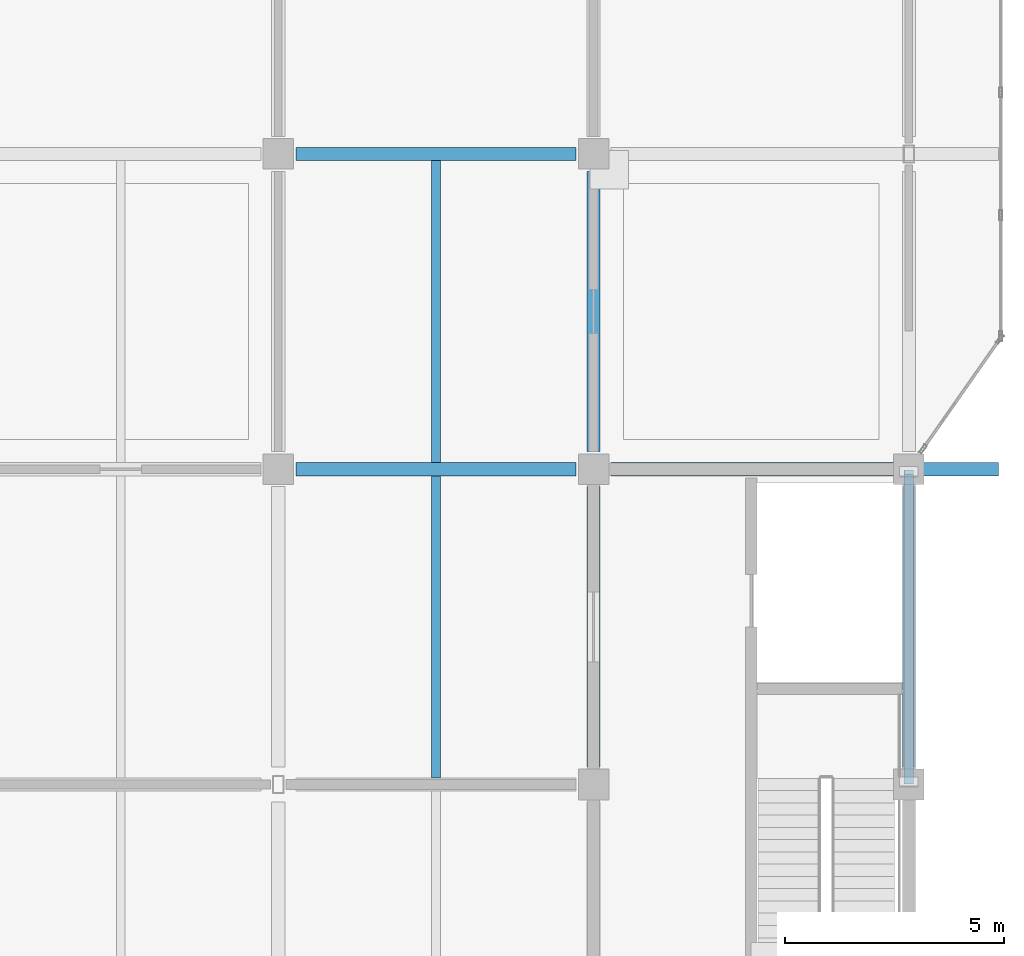
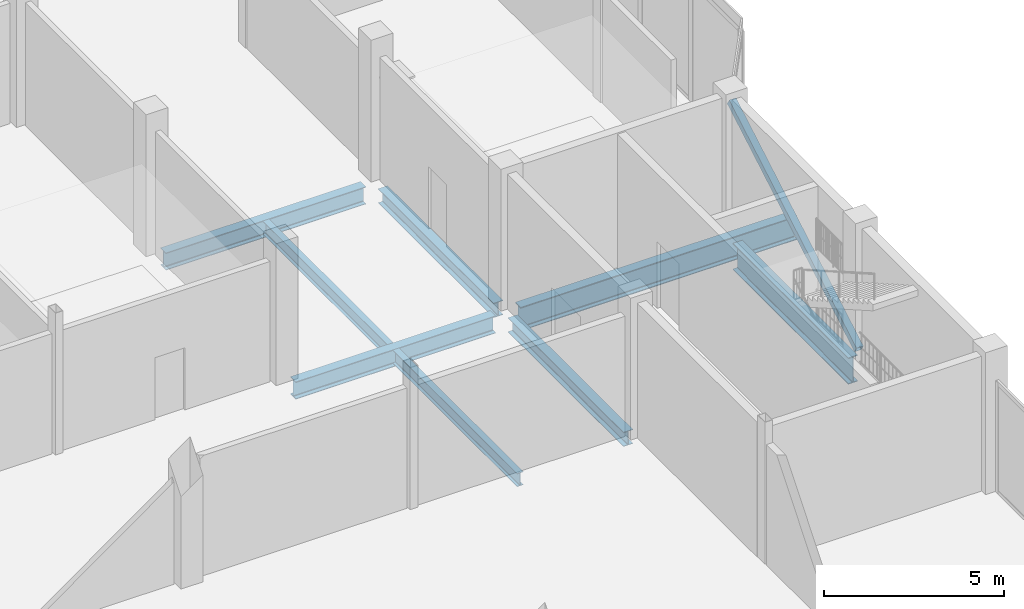
# One storey, part 69 of 120: 8 beams, 1 member.
"""IFC4 building model written with IfcOpenShell, lengths in metres."""

from ifc_helpers import new_model, si_unit, direction, frame, origin, origin_2d, place, context, subcontext, project, spatial, hollow_rectangle, i_section, extrude, material, material_profile, profile_set, type_object, element, save


model = new_model("IFC4")

# Units and contexts
model_context = context("Model", 3, precision=1e-05, world=origin(), true_north=direction((0.0, 1.0)))
body_context = subcontext(model_context, "Body", "Model", "MODEL_VIEW")
ifc_project = project(units=[si_unit("LENGTHUNIT", "METRE"), si_unit("AREAUNIT", "SQUARE_METRE"), si_unit("VOLUMEUNIT", "CUBIC_METRE"), si_unit("PLANEANGLEUNIT", "RADIAN"), si_unit("MASSUNIT", "GRAM", prefix="KILO")], contexts=[model_context])

# Site, building, storey
site_placement = place(None, origin())
site = spatial("IfcSite", under=ifc_project, at=site_placement, CompositionType="ELEMENT")
building_placement = place(site_placement, origin())
building = spatial("IfcBuilding", under=site, at=building_placement, Name="Vesperath Aquatics Centre", CompositionType="ELEMENT")
storey_placement = place(building_placement, frame((0.0, 0.0, 10.199951171875)))
storey = spatial("IfcBuildingStorey", under=building, at=storey_placement, Name="L02", CompositionType="ELEMENT", Elevation=10.199951171875)

# Beams
ifc_material_1 = material(Name="Steel Q355D", Category="steel")
ifc_material_profile_1 = material_profile(ifc_material_1, i_section(OverallWidth=0.300048828125, OverallDepth=0.89990234375, WebThickness=0.01611328125, FlangeThickness=0.028076171875, FilletRadius=0.028076171875, at=origin_2d()), Name="HN 900x300x16x28")
ifc_profile_set_1 = profile_set([ifc_material_profile_1], Name="Steel Q355D")
beam_type_1 = type_object("IfcBeamType", Name="BM-G06", PredefinedType="BEAM", material=ifc_profile_set_1)
beam_1_placement = place(storey_placement, frame((172.800048828125, 14.800048828125, -0.7099609375), z_axis=(0.0, 1.0, 0.0), x_axis=(-1.0, 0.0, 0.0)))
element("IfcBeam", 1, at=beam_1_placement, inside=storey, type_object=beam_type_1, Name="Floor Girder B06 L02 25 C-D", PredefinedType="BEAM", context=body_context, shape_type="SweptSolid", body=[
    extrude(i_section(OverallWidth=0.300048828125, OverallDepth=0.89990234375, WebThickness=0.01611328125, FlangeThickness=0.028076171875, FilletRadius=0.028076171875, at=origin_2d()), origin(), (0.0, 0.0, 1.0), 6.39990234375),
])
ifc_material_profile_2 = material_profile(ifc_material_1, i_section(OverallWidth=0.300048828125, OverallDepth=0.800048828125, WebThickness=0.013916015625, FlangeThickness=0.02587890625, FilletRadius=0.028076171875, at=origin_2d()), Name="HN 800x300x14x26")
ifc_profile_set_2 = profile_set([ifc_material_profile_2], Name="Steel Q355D")
beam_type_2 = type_object("IfcBeamType", Name="BM-G07", PredefinedType="BEAM", material=ifc_profile_set_2)
beam_2_placement = place(storey_placement, frame((166.0, 21.60009765625, -0.659912109375), z_axis=(1.0, 0.0, 0.0), x_axis=(0.0, 1.0, 0.0)))
element("IfcBeam", 2, at=beam_2_placement, inside=storey, type_object=beam_type_2, Name="Floor Girder B07 L02 D 24-25", PredefinedType="BEAM", context=body_context, shape_type="SweptSolid", body=[
    extrude(i_section(OverallWidth=0.300048828125, OverallDepth=0.800048828125, WebThickness=0.013916015625, FlangeThickness=0.02587890625, FilletRadius=0.028076171875, at=origin_2d()), origin(), (0.0, 0.0, 1.0), 8.85009765625),
])
ifc_material_2 = material(Name="Steel Q355C", Category="steel")
ifc_material_profile_3 = material_profile(ifc_material_2, i_section(OverallWidth=0.300048828125, OverallDepth=0.587890625, WebThickness=0.011962890625, FlangeThickness=0.02001953125, FilletRadius=0.028076171875, at=origin_2d()), Name="HM 588x300x12x20")
ifc_profile_set_3 = profile_set([ifc_material_profile_3], Name="Steel Q355C")
beam_type_3 = type_object("IfcBeamType", Name="BM-G09", PredefinedType="BEAM", material=ifc_profile_set_3)
for number, where, z_axis, x_axis, name in (
    (3, (158.800048828125, 21.60009765625, -0.553955078125), (1.0, 0.0, 0.0), (0.0, 1.0, 0.0), "Floor Girder B09 L02 D 23-24"),
    (4, (158.800048828125, 28.800048828125, -0.553955078125), (1.0, 0.0, 0.0), (0.0, 1.0, 0.0), "Floor Girder B09 L02 E 23-24"),
):
    element("IfcBeam", number, at=place(storey_placement, frame(where, z_axis=z_axis, x_axis=x_axis)), inside=storey, type_object=beam_type_3, Name=name, PredefinedType="BEAM", context=body_context, shape_type="SweptSolid", body=[
        extrude(i_section(OverallWidth=0.300048828125, OverallDepth=0.587890625, WebThickness=0.011962890625, FlangeThickness=0.02001953125, FilletRadius=0.028076171875, at=origin_2d()), origin(), (0.0, 0.0, 1.0), 6.39990234375),
    ])
ifc_material_profile_4 = material_profile(ifc_material_2, i_section(OverallWidth=0.300048828125, OverallDepth=0.488037109375, WebThickness=0.010986328125, FlangeThickness=0.01806640625, FilletRadius=0.02587890625, at=origin_2d()), Name="HM 488x300x11x18")
ifc_profile_set_4 = profile_set([ifc_material_profile_4], Name="Steel Q355C")
beam_type_4 = type_object("IfcBeamType", Name="BM-G10", PredefinedType="BEAM", material=ifc_profile_set_4)
for number, where, z_axis, x_axis, name in (
    (5, (165.60009765625, 14.800048828125, -0.50390625), (0.0, 1.0, 0.0), (-1.0, 0.0, 0.0), "Floor Girder B10 L02 24 C-D"),
    (6, (165.60009765625, 22.0, -0.50390625), (0.0, 1.0, 0.0), (-1.0, 0.0, 0.0), "Floor Girder B10 L02 24 D-E"),
):
    element("IfcBeam", number, at=place(storey_placement, frame(where, z_axis=z_axis, x_axis=x_axis)), inside=storey, type_object=beam_type_4, Name=name, PredefinedType="BEAM", context=body_context, shape_type="SweptSolid", body=[
        extrude(i_section(OverallWidth=0.300048828125, OverallDepth=0.488037109375, WebThickness=0.010986328125, FlangeThickness=0.01806640625, FilletRadius=0.02587890625, at=origin_2d()), origin(), (0.0, 0.0, 1.0), 6.39990234375),
    ])
ifc_material_profile_5 = material_profile(ifc_material_2, i_section(OverallWidth=0.199951171875, OverallDepth=0.449951171875, WebThickness=0.009033203125, FlangeThickness=0.013916015625, FilletRadius=0.01611328125, at=origin_2d()), Name="HN 450x200x9x14")
ifc_profile_set_5 = profile_set([ifc_material_profile_5], Name="Steel Q355C")
beam_type_5 = type_object("IfcBeamType", Name="BM-J03", PredefinedType="JOIST", material=ifc_profile_set_5)
for number, where, z_axis, x_axis, name in (
    (7, (162.0, 14.550048828125, -0.48486328125), (0.0, 1.0, 0.0), (-1.0, 0.0, 0.0), "Secondary Floor Joist J03 L02 23/C"),
    (8, (162.0, 21.75, -0.48486328125), (0.0, 1.0, 0.0), (-1.0, 0.0, 0.0), "Secondary Floor Joist J03 L02 23/D"),
):
    element("IfcBeam", number, at=place(storey_placement, frame(where, z_axis=z_axis, x_axis=x_axis)), inside=storey, type_object=beam_type_5, Name=name, PredefinedType="JOIST", context=body_context, shape_type="SweptSolid", body=[
        extrude(i_section(OverallWidth=0.199951171875, OverallDepth=0.449951171875, WebThickness=0.009033203125, FlangeThickness=0.013916015625, FilletRadius=0.01611328125, at=origin_2d()), origin(), (0.0, 0.0, 1.0), 6.89990234375),
    ])

# Member
ifc_material_profile_6 = material_profile(ifc_material_1, hollow_rectangle(XDim=0.219970703125, YDim=0.219970703125, WallThickness=0.010009765625, at=origin_2d()), Name="SHS 220x220x10")
ifc_profile_set_6 = profile_set([ifc_material_profile_6], Name="Steel Q355D")
member_type = type_object("IfcMemberType", Name="MB-BR02", PredefinedType="BRACE", material=ifc_profile_set_6)
member_placement = place(storey_placement, frame((172.800048828125, 14.468994140625, 0.1904296875), z_axis=(0.0, 0.863785399272, 0.50385988529), x_axis=(-1.0, 0.0, 0.0)))
element("IfcMember", 9, at=member_placement, inside=storey, type_object=member_type, Name="Lateral Braced Frame Strut C6_E L02", PredefinedType="BRACE", context=body_context, shape_type="SweptSolid", body=[
    extrude(hollow_rectangle(XDim=0.219970703125, YDim=0.219970703125, WallThickness=0.010009765625, at=origin_2d()), origin(), (0.0, 0.0, 1.0), 8.175537109375),
])

save(model, "model.ifc")
